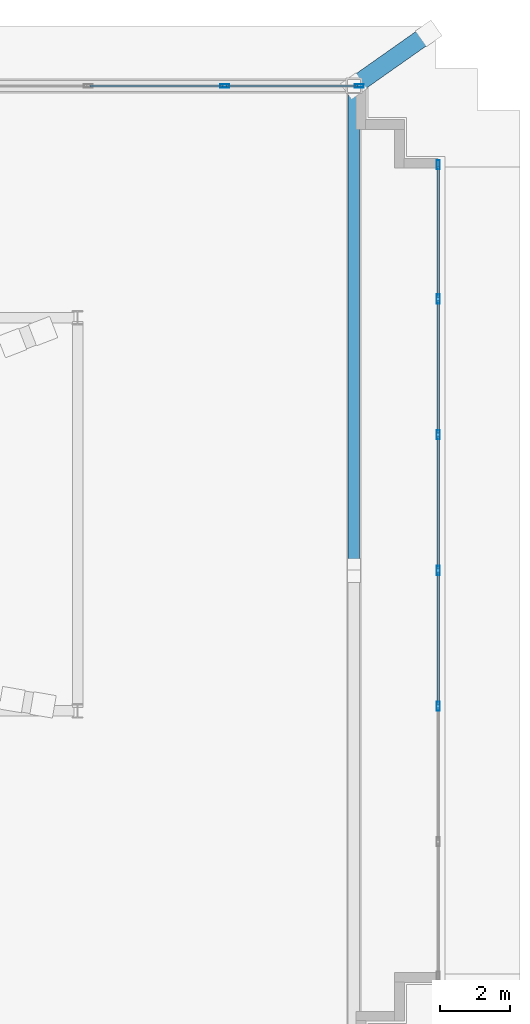
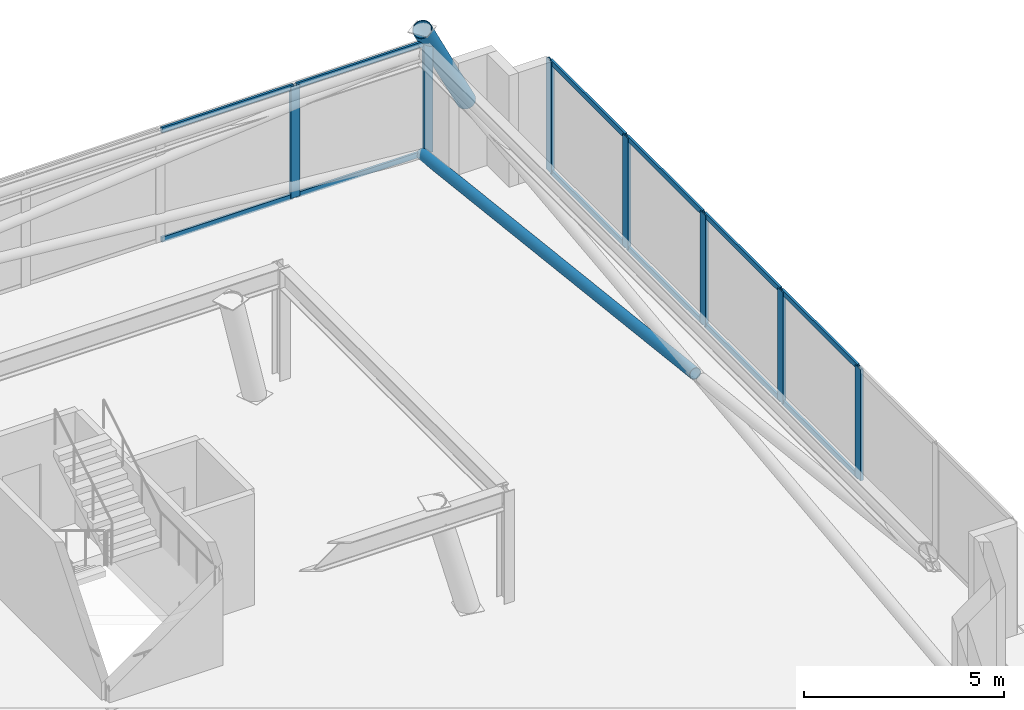
# One storey, part 17 of 22: 21 members, 2 elements without a shape of their own.
"""IFC4 building model written with IfcOpenShell, lengths in metres."""

from ifc_helpers import new_model, si_unit, direction, frame, origin, origin_2d, place, context, subcontext, project, spatial, hollow_rectangle, hollow_circle, extrude, material, layer, layer_set, material_profile, profile_set, type_object, element, aggregate, save


model = new_model("IFC4")

# Units and contexts
model_context = context("Model", 3, precision=1e-05, world=origin(), true_north=direction((0.0, 1.0)))
body_context = subcontext(model_context, "Body", "Model", "MODEL_VIEW")
ifc_project = project(units=[si_unit("LENGTHUNIT", "METRE"), si_unit("AREAUNIT", "SQUARE_METRE"), si_unit("VOLUMEUNIT", "CUBIC_METRE"), si_unit("PLANEANGLEUNIT", "RADIAN"), si_unit("MASSUNIT", "GRAM", prefix="KILO")], contexts=[model_context])

# Site, building, storey
site_placement = place(None, origin())
site = spatial("IfcSite", under=ifc_project, at=site_placement, CompositionType="ELEMENT")
building_placement = place(site_placement, origin())
building = spatial("IfcBuilding", under=site, at=building_placement, Name="Qobustan Lattice House", CompositionType="ELEMENT")
storey_placement = place(building_placement, frame((0.0, 0.0, 274.0)))
storey = spatial("IfcBuildingStorey", under=building, at=storey_placement, Name="L77", CompositionType="ELEMENT", Elevation=274.0)

# Curtain wall, members
ifc_material_1 = material(Name="Anodised aluminium and low-E glazing", Category="aluminium")
ifc_layer = layer(ifc_material_1, 0.219970703125)
ifc_layer_set = layer_set([ifc_layer], Name="Anodised aluminium and low-E glazing")
curtain_wall_type = type_object("IfcCurtainWallType", Name="CW-CRN-01", PredefinedType="USERDEFINED", material=ifc_layer_set)
curtain_wall_1_placement = place(storey_placement, origin())
curtain_wall_1 = element("IfcCurtainWall", 1, at=curtain_wall_1_placement, inside=storey, type_object=curtain_wall_type, Name="L77 glass-point crown faceted curtain wall 10", ObjectType="CURTAIN WALL", PredefinedType="USERDEFINED")
ifc_material_2 = material(Name="Anodised aluminium EN AW-6063 T6", Category="aluminium")
ifc_material_profile_1 = material_profile(ifc_material_2, hollow_rectangle(XDim=0.090087890625, YDim=0.260009765625, WallThickness=0.006103515625, at=origin_2d()), Name="CWM-CROWN-260x90")
ifc_profile_set_1 = profile_set([ifc_material_profile_1], Name="Anodised aluminium EN AW-6063 T6")
member_type_1 = type_object("IfcMemberType", Name="CWM-CRN-260", PredefinedType="MULLION", material=ifc_profile_set_1)
member_1_placement = place(storey_placement, frame((13.390380859375, 12.201416015625, 0.0), z_axis=(0.0, 0.0, 1.0), x_axis=(0.0, 1.0, 0.0)))
member_1 = element("IfcMember", 2, at=member_1_placement, type_object=member_type_1, Name="CW-CR mullion 9", PredefinedType="MULLION", context=body_context, shape_type="SweptSolid", body=[
    extrude(hollow_rectangle(XDim=0.090087890625, YDim=0.260009765625, WallThickness=0.006103515625, at=origin_2d()), origin(), (0.0, 0.0, 1.0), 3.39990234375),
])
member_2_placement = place(storey_placement, frame((17.228515625, 12.201416015625, 0.0), z_axis=(0.0, 0.0, 1.0), x_axis=(0.0, 1.0, 0.0)))
member_2 = element("IfcMember", 3, at=member_2_placement, type_object=member_type_1, Name="CW-CR mullion 10", PredefinedType="MULLION", context=body_context, shape_type="SweptSolid", body=[
    extrude(hollow_rectangle(XDim=0.090087890625, YDim=0.260009765625, WallThickness=0.006103515625, at=origin_2d()), origin(), (0.0, 0.0, 1.0), 3.39990234375),
])

curtain_wall_2_placement = place(storey_placement, origin())
curtain_wall_2 = element("IfcCurtainWall", 4, at=curtain_wall_2_placement, inside=storey, type_object=curtain_wall_type, Name="L77 glass-point crown faceted curtain wall 15", ObjectType="CURTAIN WALL", PredefinedType="USERDEFINED")
member_3_placement = place(storey_placement, frame((19.473388671875, 9.95654296875, 0.0), z_axis=(0.0, 0.0, 1.0), x_axis=(1.0, 0.0, 0.0)))
member_3 = element("IfcMember", 5, at=member_3_placement, type_object=member_type_1, Name="CW-CR mullion 1", PredefinedType="MULLION", context=body_context, shape_type="SweptSolid", body=[
    extrude(hollow_rectangle(XDim=0.090087890625, YDim=0.260009765625, WallThickness=0.006103515625, at=origin_2d()), origin(), (0.0, 0.0, 1.0), 3.39990234375),
])
member_4_placement = place(storey_placement, frame((19.473388671875, 6.13427734375, 0.0), z_axis=(0.0, 0.0, 1.0), x_axis=(1.0, 0.0, 0.0)))
member_4 = element("IfcMember", 6, at=member_4_placement, type_object=member_type_1, Name="CW-CR mullion 2", PredefinedType="MULLION", context=body_context, shape_type="SweptSolid", body=[
    extrude(hollow_rectangle(XDim=0.090087890625, YDim=0.260009765625, WallThickness=0.006103515625, at=origin_2d()), origin(), (0.0, 0.0, 1.0), 3.39990234375),
])
member_5_placement = place(storey_placement, frame((19.473388671875, 2.26708984375, 0.0), z_axis=(0.0, 0.0, 1.0), x_axis=(1.0, 0.0, 0.0)))
member_5 = element("IfcMember", 7, at=member_5_placement, type_object=member_type_1, Name="CW-CR mullion 3", PredefinedType="MULLION", context=body_context, shape_type="SweptSolid", body=[
    extrude(hollow_rectangle(XDim=0.090087890625, YDim=0.260009765625, WallThickness=0.006103515625, at=origin_2d()), origin(), (0.0, 0.0, 1.0), 3.39990234375),
])
member_6_placement = place(storey_placement, frame((19.473388671875, -1.60009765625, 0.0), z_axis=(0.0, 0.0, 1.0), x_axis=(1.0, 0.0, 0.0)))
member_6 = element("IfcMember", 8, at=member_6_placement, type_object=member_type_1, Name="CW-CR mullion 4", PredefinedType="MULLION", context=body_context, shape_type="SweptSolid", body=[
    extrude(hollow_rectangle(XDim=0.090087890625, YDim=0.260009765625, WallThickness=0.006103515625, at=origin_2d()), origin(), (0.0, 0.0, 1.0), 3.39990234375),
])
member_7_placement = place(storey_placement, frame((19.473388671875, -5.46728515625, 0.0), z_axis=(0.0, 0.0, 1.0), x_axis=(1.0, 0.0, 0.0)))
member_7 = element("IfcMember", 9, at=member_7_placement, type_object=member_type_1, Name="CW-CR mullion 5", PredefinedType="MULLION", context=body_context, shape_type="SweptSolid", body=[
    extrude(hollow_rectangle(XDim=0.090087890625, YDim=0.260009765625, WallThickness=0.006103515625, at=origin_2d()), origin(), (0.0, 0.0, 1.0), 3.39990234375),
])

# Member
ifc_material_3 = material(Name="Anodised aluminium EN AW-6063 T6", Category="aluminium")
ifc_material_profile_2 = material_profile(ifc_material_3, hollow_rectangle(XDim=0.06494140625, YDim=0.159912109375, WallThickness=0.00390625, at=origin_2d()), Name="CWT-160x65")
ifc_profile_set_2 = profile_set([ifc_material_profile_2], Name="Anodised aluminium EN AW-6063 T6")
member_type_2 = type_object("IfcMemberType", Name="CWT-HOR-160", PredefinedType="USERDEFINED", material=ifc_profile_set_2)
member_8_placement = place(storey_placement, frame((9.552490234375, 12.201416015625, 0.032470703125), z_axis=(1.0, 0.0, 0.0), x_axis=(0.0, 1.0, 0.0)))
member_8 = element("IfcMember", 10, at=member_8_placement, type_object=member_type_2, Name="CW-CR transom 8.1", ObjectType="TRANSOM", PredefinedType="USERDEFINED", context=body_context, shape_type="SweptSolid", body=[
    extrude(hollow_rectangle(XDim=0.06494140625, YDim=0.159912109375, WallThickness=0.00390625, at=origin_2d()), origin(), (0.0, 0.0, 1.0), 3.79296875),
])

member_9_placement = place(storey_placement, frame((9.552490234375, 12.201416015625, 3.367431640625), z_axis=(1.0, 0.0, 0.0), x_axis=(0.0, 1.0, 0.0)))
member_9 = element("IfcMember", 11, at=member_9_placement, type_object=member_type_2, Name="CW-CR transom 8.2", ObjectType="TRANSOM", PredefinedType="USERDEFINED", context=body_context, shape_type="SweptSolid", body=[
    extrude(hollow_rectangle(XDim=0.06494140625, YDim=0.159912109375, WallThickness=0.00390625, at=origin_2d()), origin(), (0.0, 0.0, 1.0), 3.79296875),
])

member_10_placement = place(storey_placement, frame((13.435546875, 12.201416015625, 0.032470703125), z_axis=(1.0, 0.0, 0.0), x_axis=(0.0, 1.0, 0.0)))
member_10 = element("IfcMember", 12, at=member_10_placement, type_object=member_type_2, Name="CW-CR transom 9.1", ObjectType="TRANSOM", PredefinedType="USERDEFINED", context=body_context, shape_type="SweptSolid", body=[
    extrude(hollow_rectangle(XDim=0.06494140625, YDim=0.159912109375, WallThickness=0.00390625, at=origin_2d()), origin(), (0.0, 0.0, 1.0), 3.748046875),
])

member_11_placement = place(storey_placement, frame((13.435546875, 12.201416015625, 3.367431640625), z_axis=(1.0, 0.0, 0.0), x_axis=(0.0, 1.0, 0.0)))
member_11 = element("IfcMember", 13, at=member_11_placement, type_object=member_type_2, Name="CW-CR transom 9.2", ObjectType="TRANSOM", PredefinedType="USERDEFINED", context=body_context, shape_type="SweptSolid", body=[
    extrude(hollow_rectangle(XDim=0.06494140625, YDim=0.159912109375, WallThickness=0.00390625, at=origin_2d()), origin(), (0.0, 0.0, 1.0), 3.748046875),
])

aggregate(curtain_wall_1, [member_1, member_2, member_8, member_9, member_10, member_11])

member_12_placement = place(storey_placement, frame((19.473388671875, 9.91162109375, 0.032470703125), z_axis=(0.0, -1.0, 0.0), x_axis=(1.0, 0.0, 0.0)))
member_12 = element("IfcMember", 14, at=member_12_placement, type_object=member_type_2, Name="CW-CR transom 1.1", ObjectType="TRANSOM", PredefinedType="USERDEFINED", context=body_context, shape_type="SweptSolid", body=[
    extrude(hollow_rectangle(XDim=0.06494140625, YDim=0.159912109375, WallThickness=0.00390625, at=origin_2d()), origin(), (0.0, 0.0, 1.0), 3.732177734375),
])

member_13_placement = place(storey_placement, frame((19.473388671875, 9.91162109375, 3.367431640625), z_axis=(0.0, -1.0, 0.0), x_axis=(1.0, 0.0, 0.0)))
member_13 = element("IfcMember", 15, at=member_13_placement, type_object=member_type_2, Name="CW-CR transom 1.2", ObjectType="TRANSOM", PredefinedType="USERDEFINED", context=body_context, shape_type="SweptSolid", body=[
    extrude(hollow_rectangle(XDim=0.06494140625, YDim=0.159912109375, WallThickness=0.00390625, at=origin_2d()), origin(), (0.0, 0.0, 1.0), 3.732177734375),
])

member_14_placement = place(storey_placement, frame((19.473388671875, 6.08935546875, 0.032470703125), z_axis=(0.0, -1.0, 0.0), x_axis=(1.0, 0.0, 0.0)))
member_14 = element("IfcMember", 16, at=member_14_placement, type_object=member_type_2, Name="CW-CR transom 2.1", ObjectType="TRANSOM", PredefinedType="USERDEFINED", context=body_context, shape_type="SweptSolid", body=[
    extrude(hollow_rectangle(XDim=0.06494140625, YDim=0.159912109375, WallThickness=0.00390625, at=origin_2d()), origin(), (0.0, 0.0, 1.0), 3.777099609375),
])

member_15_placement = place(storey_placement, frame((19.473388671875, 6.08935546875, 3.367431640625), z_axis=(0.0, -1.0, 0.0), x_axis=(1.0, 0.0, 0.0)))
member_15 = element("IfcMember", 17, at=member_15_placement, type_object=member_type_2, Name="CW-CR transom 2.2", ObjectType="TRANSOM", PredefinedType="USERDEFINED", context=body_context, shape_type="SweptSolid", body=[
    extrude(hollow_rectangle(XDim=0.06494140625, YDim=0.159912109375, WallThickness=0.00390625, at=origin_2d()), origin(), (0.0, 0.0, 1.0), 3.777099609375),
])

member_16_placement = place(storey_placement, frame((19.473388671875, 2.22216796875, 0.032470703125), z_axis=(0.0, -1.0, 0.0), x_axis=(1.0, 0.0, 0.0)))
member_16 = element("IfcMember", 18, at=member_16_placement, type_object=member_type_2, Name="CW-CR transom 3.1", ObjectType="TRANSOM", PredefinedType="USERDEFINED", context=body_context, shape_type="SweptSolid", body=[
    extrude(hollow_rectangle(XDim=0.06494140625, YDim=0.159912109375, WallThickness=0.00390625, at=origin_2d()), origin(), (0.0, 0.0, 1.0), 3.777099609375),
])

member_17_placement = place(storey_placement, frame((19.473388671875, 2.22216796875, 3.367431640625), z_axis=(0.0, -1.0, 0.0), x_axis=(1.0, 0.0, 0.0)))
member_17 = element("IfcMember", 19, at=member_17_placement, type_object=member_type_2, Name="CW-CR transom 3.2", ObjectType="TRANSOM", PredefinedType="USERDEFINED", context=body_context, shape_type="SweptSolid", body=[
    extrude(hollow_rectangle(XDim=0.06494140625, YDim=0.159912109375, WallThickness=0.00390625, at=origin_2d()), origin(), (0.0, 0.0, 1.0), 3.777099609375),
])

member_18_placement = place(storey_placement, frame((19.473388671875, -1.64501953125, 0.032470703125), z_axis=(0.0, -1.0, 0.0), x_axis=(1.0, 0.0, 0.0)))
member_18 = element("IfcMember", 20, at=member_18_placement, type_object=member_type_2, Name="CW-CR transom 4.1", ObjectType="TRANSOM", PredefinedType="USERDEFINED", context=body_context, shape_type="SweptSolid", body=[
    extrude(hollow_rectangle(XDim=0.06494140625, YDim=0.159912109375, WallThickness=0.00390625, at=origin_2d()), origin(), (0.0, 0.0, 1.0), 3.777099609375),
])

member_19_placement = place(storey_placement, frame((19.473388671875, -1.64501953125, 3.367431640625), z_axis=(0.0, -1.0, 0.0), x_axis=(1.0, 0.0, 0.0)))
member_19 = element("IfcMember", 21, at=member_19_placement, type_object=member_type_2, Name="CW-CR transom 4.2", ObjectType="TRANSOM", PredefinedType="USERDEFINED", context=body_context, shape_type="SweptSolid", body=[
    extrude(hollow_rectangle(XDim=0.06494140625, YDim=0.159912109375, WallThickness=0.00390625, at=origin_2d()), origin(), (0.0, 0.0, 1.0), 3.777099609375),
])

aggregate(curtain_wall_2, [member_3, member_4, member_5, member_6, member_7, member_12, member_13, member_14, member_15, member_16, member_17, member_18, member_19])

# Members
ifc_material_4 = material(Name="Steel S355", Category="steel")
ifc_material_profile_3 = material_profile(ifc_material_4, hollow_circle(Radius=0.161865234375, WallThickness=0.012451171875, at=origin_2d()), Name="CHS323.9x12.5")
ifc_profile_set_3 = profile_set([ifc_material_profile_3], Name="Steel S355")
member_type_3 = type_object("IfcMemberType", Name="MEM-CBR-CHS324", PredefinedType="BRACE", material=ifc_profile_set_3)
member_20_placement = place(storey_placement, frame((17.073486328125, 12.201416015625, 0.014892578125), z_axis=(0.0, -0.99348948194, 0.113923874914), x_axis=(1.0, 0.0, 0.0)))
element("IfcMember", 22, at=member_20_placement, inside=storey, type_object=member_type_3, Name="L77 crown diagrid split brace 2B lower", PredefinedType="BRACE", context=body_context, shape_type="SweptSolid", body=[
    extrude(hollow_circle(Radius=0.161865234375, WallThickness=0.012451171875, at=origin_2d()), origin(), (0.0, 0.0, 1.0), 13.723876953125),
])
ifc_material_5 = material(Name="Steel S355", Category="steel")
ifc_material_profile_4 = material_profile(ifc_material_5, hollow_circle(Radius=0.25390625, WallThickness=0.02001953125, at=origin_2d()), Name="CHS508x20")
ifc_profile_set_4 = profile_set([ifc_material_profile_4], Name="Steel S355")
member_type_4 = type_object("IfcMemberType", Name="MEM-STR-CHS508", PredefinedType="STRUT", material=ifc_profile_set_4)
member_21_placement = place(storey_placement, frame((19.199951171875, 13.699951171875, 0.0), z_axis=(-0.461753371927, -0.32540094109, 0.825165468892), x_axis=(0.576041902773, -0.817420165062, 0.0)))
element("IfcMember", 23, at=member_21_placement, inside=storey, type_object=member_type_4, Name="L77 crown corner raking strut 3", PredefinedType="STRUT", context=body_context, shape_type="SweptSolid", body=[
    extrude(hollow_circle(Radius=0.25390625, WallThickness=0.02001953125, at=origin_2d()), origin(), (0.0, 0.0, 1.0), 4.605224609375),
])

save(model, "model.ifc")
